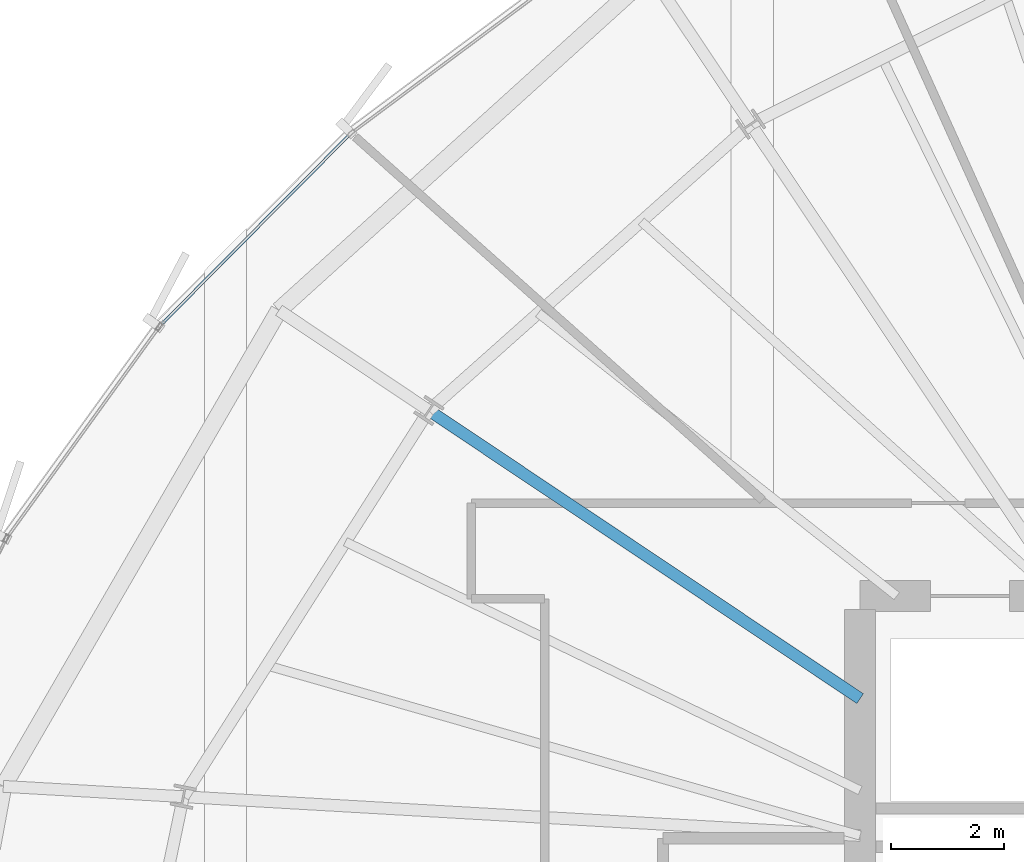
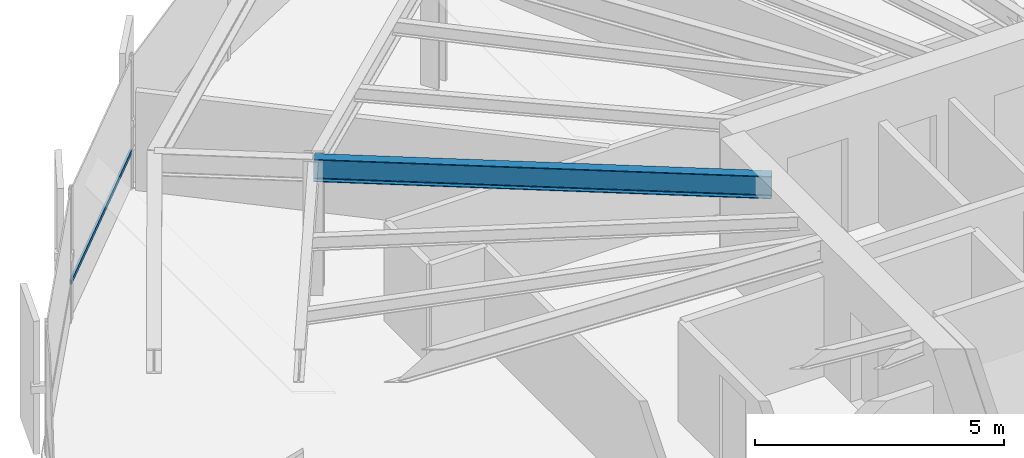
# One storey, part 20 of 37: 1 beam, 1 member, 1 element without a shape of its own.
"""IFC4 building model written with IfcOpenShell, lengths in metres."""

import ifcopenshell
import ifcopenshell.guid

model = None  # the IFC model being written
_history = None  # IfcOwnerHistory: only IFC2X3 demands one
_inside = {}  # id of a spatial element -> (the spatial element, [elements in it])
_under = {}  # id of a project, library or spatial element -> (it, [spatial elements below it])
_declared = {}  # id of a project -> (the project, [libraries it declares])
_typed = {}  # id of a type object -> (the type object, [elements of that type])
_made_of = {}  # id of a material, layer set ... -> (it, [elements and type objects made of it])


def new_model(schema):
    """Start an empty IFC model of exactly this schema.

    Asked for "IFC4X3", IfcOpenShell would pick the latest addendum, in which some entities
    have other attributes; the version numbers below select the first issue.
    IFC2X3 requires an IfcOwnerHistory on every rooted entity: one is made here for all.
    """
    global model, _history
    if schema == "IFC4X3":
        model = ifcopenshell.file(schema_version=(4, 3, 0, 0))
    else:
        model = ifcopenshell.file(schema=schema)
    _inside.clear()
    _under.clear()
    _declared.clear()
    _typed.clear()
    _made_of.clear()
    _history = None
    if model.schema == "IFC2X3":
        org = make("IfcOrganization", Name="unknown")
        user = make(
            "IfcPersonAndOrganization",
            ThePerson=make("IfcPerson", FamilyName="unknown"),
            TheOrganization=org,
        )
        app = make(
            "IfcApplication",
            ApplicationDeveloper=org,
            Version="unknown",
            ApplicationFullName="unknown",
            ApplicationIdentifier="unknown",
        )
        _history = make(
            "IfcOwnerHistory",
            OwningUser=user,
            OwningApplication=app,
            ChangeAction="ADDED",
            CreationDate=0,
        )
    return model


def make(cls, **values):
    """One entity of the class cls with the attributes given. An attribute that is None is left unset."""
    return model.create_entity(
        cls, **{name: value for name, value in values.items() if value is not None}
    )


def rooted(cls, **values):
    """An entity with a GlobalId (a new one), such as an element, a storey or a relation."""
    return make(cls, GlobalId=ifcopenshell.guid.new(), OwnerHistory=_history, **values)


def si_unit(unit_type, name, prefix=None):
    """IfcSIUnit, for example si_unit("LENGTHUNIT", "METRE", prefix="MILLI")."""
    return make("IfcSIUnit", UnitType=unit_type, Prefix=prefix, Name=name)


def assignment(units):
    """IfcUnitAssignment: the units of a project."""
    return None if units is None else make("IfcUnitAssignment", Units=units)


def point(xyz):
    """IfcCartesianPoint."""
    return None if xyz is None else make("IfcCartesianPoint", Coordinates=xyz)


def direction(xyz):
    """IfcDirection."""
    return None if xyz is None else make("IfcDirection", DirectionRatios=xyz)


def frame(location, z_axis=None, x_axis=None):
    """IfcAxis2Placement3D, a coordinate frame: its origin and axes. An axis left out is left unset."""
    return make(
        "IfcAxis2Placement3D",
        Location=point(location),
        Axis=direction(z_axis),
        RefDirection=direction(x_axis),
    )


def frame_2d(location, x_axis=None):
    """IfcAxis2Placement2D, a coordinate frame in the plane: its origin and x axis."""
    return make(
        "IfcAxis2Placement2D", Location=point(location), RefDirection=direction(x_axis)
    )


def origin():
    """The frame at (0, 0, 0) with its axes left unset."""
    return frame((0.0, 0.0, 0.0))


def origin_2d():
    """The frame at (0, 0) in the plane with its x axis left unset."""
    return frame_2d((0.0, 0.0))


def place(relative_to, where):
    """IfcLocalPlacement: puts the frame where relative to a parent placement (None: the world)."""
    return make(
        "IfcLocalPlacement", PlacementRelTo=relative_to, RelativePlacement=where
    )


def context(
    kind, dimensions, precision=None, world=None, true_north=None, identifier=None
):
    """IfcGeometricRepresentationContext, for example the 3D "Model" context."""
    return make(
        "IfcGeometricRepresentationContext",
        ContextIdentifier=identifier,
        ContextType=kind,
        CoordinateSpaceDimension=dimensions,
        Precision=precision,
        WorldCoordinateSystem=world,
        TrueNorth=true_north,
    )


def subcontext(parent, identifier, kind, view, scale=None):
    """IfcGeometricRepresentationSubContext, for example "Body" below "Model"."""
    return make(
        "IfcGeometricRepresentationSubContext",
        ContextIdentifier=identifier,
        ContextType=kind,
        ParentContext=parent,
        TargetScale=scale,
        TargetView=view,
    )


def project(units=None, contexts=None):
    """IfcProject with its units and contexts."""
    return rooted(
        "IfcProject",
        Name="project",
        RepresentationContexts=contexts,
        UnitsInContext=assignment(units),
    )


def spatial(cls, under=None, at=None, **own):
    """A site, building, storey or space (cls), placed at a placement, below another one or the project."""
    s = rooted(cls, ObjectPlacement=at, **own)
    if under is not None:
        _under.setdefault(under.id(), (under, []))[1].append(s)
    return s


def profile(cls, at=None, kind="AREA", **sizes):
    """A parametric profile (cls). Its sizes go by their IFC names, for example OverallWidth=200.0."""
    return make(cls, ProfileType=kind, Position=at, **sizes)


def hollow_rectangle(**sizes):
    """IfcRectangleHollowProfileDef."""
    return profile("IfcRectangleHollowProfileDef", **sizes)


def i_section(**sizes):
    """IfcIShapeProfileDef."""
    return profile("IfcIShapeProfileDef", **sizes)


def extrude(swept, where, along, depth):
    """IfcExtrudedAreaSolid: the profile swept, set in the frame where, extruded along a direction by depth."""
    return make(
        "IfcExtrudedAreaSolid",
        SweptArea=swept,
        Position=where,
        ExtrudedDirection=direction(along),
        Depth=depth,
    )


def shape(context_of_items, identifier, shape_type, items):
    """IfcShapeRepresentation: the items that make up one representation, for example the "Body"."""
    return make(
        "IfcShapeRepresentation",
        ContextOfItems=context_of_items,
        RepresentationIdentifier=identifier,
        RepresentationType=shape_type,
        Items=items,
    )


def source(mapping_origin, context_of_items, identifier, shape_type, items):
    """IfcRepresentationMap: a shape defined once, which mapped items show again and again."""
    return make(
        "IfcRepresentationMap",
        MappingOrigin=mapping_origin,
        MappedRepresentation=shape(context_of_items, identifier, shape_type, items),
    )


def transform(
    local_origin,
    x_axis=None,
    y_axis=None,
    z_axis=None,
    scale=None,
    scale2=None,
    scale3=None,
    uniform=True,
):
    """IfcCartesianTransformationOperator3D, or its non-uniform kind. x_axis, y_axis, z_axis: its Axis1, 2, 3."""
    if uniform:
        return make(
            "IfcCartesianTransformationOperator3D",
            Axis1=direction(x_axis),
            Axis2=direction(y_axis),
            LocalOrigin=point(local_origin),
            Scale=scale,
            Axis3=direction(z_axis),
        )
    return make(
        "IfcCartesianTransformationOperator3DnonUniform",
        Axis1=direction(x_axis),
        Axis2=direction(y_axis),
        LocalOrigin=point(local_origin),
        Scale=scale,
        Axis3=direction(z_axis),
        Scale2=scale2,
        Scale3=scale3,
    )


def mapped(mapping_source, mapping_target):
    """IfcMappedItem: shows the shape of a source again, moved by a transform."""
    return make(
        "IfcMappedItem", MappingSource=mapping_source, MappingTarget=mapping_target
    )


def material(Name=None, Category=None):
    """IfcMaterial."""
    return make("IfcMaterial", Name=Name, Category=Category)


def layer(
    of_material, thickness, ventilated=None, Name=None, Category=None, Priority=None
):
    """IfcMaterialLayer: one layer of a wall or slab, of a material (None: an air gap)."""
    return make(
        "IfcMaterialLayer",
        Material=of_material,
        LayerThickness=thickness,
        IsVentilated=ventilated,
        Name=Name,
        Category=Category,
        Priority=Priority,
    )


def layer_set(layers, Name=None):
    """IfcMaterialLayerSet."""
    return make("IfcMaterialLayerSet", MaterialLayers=layers, LayerSetName=Name)


def material_profile(
    of_material, cross_section, Name=None, Category=None, Priority=None
):
    """IfcMaterialProfile: a cross section and its material."""
    return make(
        "IfcMaterialProfile",
        Name=Name,
        Material=of_material,
        Profile=cross_section,
        Priority=Priority,
        Category=Category,
    )


def profile_set(profiles, Name=None, composite=None):
    """IfcMaterialProfileSet."""
    return make(
        "IfcMaterialProfileSet",
        Name=Name,
        MaterialProfiles=profiles,
        CompositeProfile=composite,
    )


def made_of(thing, what):
    """Note that an element or type object is made of a material, layer set ...; save() writes the relation."""
    if what is not None:
        _made_of.setdefault(what.id(), (what, []))[1].append(thing)
    return thing


def type_object(cls, material=None, **own):
    """A type object (cls), such as IfcWallType, which elements share."""
    return made_of(rooted(cls, **own), material)


def element(
    cls,
    number,
    at=None,
    inside=None,
    cuts=None,
    type_object=None,
    material=None,
    context=None,
    identifier="Body",
    shape_type=None,
    held_by="IfcProductDefinitionShape",
    body=None,
    shapes=None,
    **own,
):
    """One element of the class cls, such as IfcWall. Its Tag is "e" and its number.

    at: its placement. inside: the storey or other place that contains it. cuts: it is an
    opening in that element (IfcRelVoidsElement). A single representation is given by context,
    identifier, shape_type and body (its items); several are given by shapes. held_by: the class
    of the entity that holds the representations. save() writes the other relations.
    """
    e = rooted(cls, Tag="e%d" % number, ObjectPlacement=at, **own)
    if body is not None:
        shapes = [shape(context, identifier, shape_type, body)]
    if shapes is not None:
        e.Representation = make(held_by, Representations=shapes)
    if inside is not None:
        _inside.setdefault(inside.id(), (inside, []))[1].append(e)
    if cuts is not None:
        rooted(
            "IfcRelVoidsElement", RelatingBuildingElement=cuts, RelatedOpeningElement=e
        )
    if type_object is not None:
        _typed.setdefault(type_object.id(), (type_object, []))[1].append(e)
    return made_of(e, material)


def aggregate(whole, parts):
    """IfcRelAggregates: a whole, such as a stair, and the parts it consists of."""
    return rooted("IfcRelAggregates", RelatingObject=whole, RelatedObjects=parts)


def save(model, path):
    """Write the relations noted so far, then the file.

    IfcRelAggregates (storeys below a building ...), IfcRelContainedInSpatialStructure (elements
    in a storey), IfcRelDefinesByType, IfcRelAssociatesMaterial and IfcRelDeclares: one each for
    every whole, place, type object, material and project.
    """
    for whole, parts in _under.values():
        aggregate(whole, parts)
    for where, things in _inside.values():
        rooted(
            "IfcRelContainedInSpatialStructure",
            RelatedElements=things,
            RelatingStructure=where,
        )
    for kind, things in _typed.values():
        rooted("IfcRelDefinesByType", RelatedObjects=things, RelatingType=kind)
    for what, things in _made_of.values():
        rooted("IfcRelAssociatesMaterial", RelatedObjects=things, RelatingMaterial=what)
    for by, libraries in _declared.values():
        rooted("IfcRelDeclares", RelatingContext=by, RelatedDefinitions=libraries)
    model.write(path)


model = new_model("IFC4")

# Units and contexts
model_context = context("Model", 3, precision=1e-05, world=origin(), true_north=direction((0.0, 1.0)))
body_context = subcontext(model_context, "Body", "Model", "MODEL_VIEW")
ifc_project = project(units=[si_unit("LENGTHUNIT", "METRE"), si_unit("AREAUNIT", "SQUARE_METRE"), si_unit("VOLUMEUNIT", "CUBIC_METRE"), si_unit("PLANEANGLEUNIT", "RADIAN"), si_unit("MASSUNIT", "GRAM", prefix="KILO"), si_unit("THERMODYNAMICTEMPERATUREUNIT", "KELVIN")], contexts=[model_context])

# Site, building, storey
site_placement = place(None, origin())
site = spatial("IfcSite", under=ifc_project, at=site_placement, CompositionType="ELEMENT")
building_placement = place(site_placement, origin())
building = spatial("IfcBuilding", under=site, at=building_placement, Name="Kethvar Cultural Tower", CompositionType="ELEMENT")
storey_placement = place(building_placement, frame((0.0, 0.0, 132.35009765625)))
storey = spatial("IfcBuildingStorey", under=building, at=storey_placement, Name="L33", CompositionType="ELEMENT", Elevation=132.35009765625)

# Beam
ifc_material_1 = material(Name="Steel S355J2", Category="steel")
ifc_material_profile_1 = material_profile(ifc_material_1, i_section(OverallWidth=0.2099609375, OverallDepth=0.550048828125, WebThickness=0.010986328125, FlangeThickness=0.01708984375, FilletRadius=0.02392578125, at=origin_2d()), Name="Steel S355J2 — IPE550")
ifc_profile_set_1 = profile_set([ifc_material_profile_1], Name="Steel S355J2 — IPE550")
beam_type = type_object("IfcBeamType", Name="BM-IPE550", PredefinedType="BEAM", material=ifc_profile_set_1)
shared_shape_1 = source(origin(), body_context, "Body", "SweptSolid", [
    extrude(i_section(OverallWidth=0.2099609375, OverallDepth=0.550048828125, WebThickness=0.010986328125, FlangeThickness=0.01708984375, FilletRadius=0.02392578125, at=origin_2d()), origin(), (0.0, 0.0, 1.0), 9.205322265625),
])
beam_placement = place(storey_placement, frame((38.0, 33.679931640625, 3.02294921875), z_axis=(-0.831470451236, 0.555568977465, 0.0), x_axis=(-0.555568977465, -0.831470451236, 0.0)))
element("IfcBeam", 1, at=beam_placement, inside=storey, type_object=beam_type, Name="L33 Primary Radial Beam RB-07", PredefinedType="BEAM", context=body_context, shape_type="MappedRepresentation", body=[
    mapped(shared_shape_1, transform((0.0, 0.0, 0.0), scale=1.0)),
])

# Curtain wall, member
ifc_material_2 = material(Name="Aluminium 6063-T6", Category="aluminium")
ifc_layer = layer(ifc_material_2, 0.179931640625, Name="Aluminium 6063-T6", Category="aluminium")
ifc_layer_set = layer_set([ifc_layer], Name="Aluminium 6063-T6 (180 mm)")
curtain_wall_type = type_object("IfcCurtainWallType", Name="CW-SYS-04-Z34", PredefinedType="NOTDEFINED", material=ifc_layer_set)
curtain_wall_placement = place(storey_placement, origin())
curtain_wall = element("IfcCurtainWall", 2, at=curtain_wall_placement, inside=storey, type_object=curtain_wall_type, Name="L33 Curtain Wall Run 02", PredefinedType="NOTDEFINED")
ifc_material_profile_2 = material_profile(ifc_material_2, hollow_rectangle(XDim=0.050048828125, YDim=0.10009765625, WallThickness=0.00390625, at=origin_2d()), Name="Aluminium 6063-T6 — RHS100x50x4")
ifc_profile_set_2 = profile_set([ifc_material_profile_2], Name="Aluminium 6063-T6 — RHS100x50x4")
member_type = type_object("IfcMemberType", Name="CW-SYS-04-Z34-TRN", PredefinedType="USERDEFINED", material=ifc_profile_set_2)
shared_shape_2 = source(origin(), body_context, "Body", "SweptSolid", [
    extrude(hollow_rectangle(XDim=0.050048828125, YDim=0.10009765625, WallThickness=0.00390625, at=origin_2d()), origin(), (0.0, 0.0, 1.0), 4.732177734375),
])
member_placement = place(storey_placement, frame((28.935302734375, 43.6845703125, 0.949951171875), z_axis=(-0.704392984947, -0.709810201926, 0.0), x_axis=(0.709810201926, -0.704392984947, 0.0)))
member = element("IfcMember", 3, at=member_placement, type_object=member_type, Name="CW-L33-R02 Transom 6", ObjectType="TRANSOM", PredefinedType="USERDEFINED", context=body_context, shape_type="MappedRepresentation", body=[
    mapped(shared_shape_2, transform((0.0, 0.0, 0.0), scale=1.0)),
])
aggregate(curtain_wall, [member])

save(model, "model.ifc")
